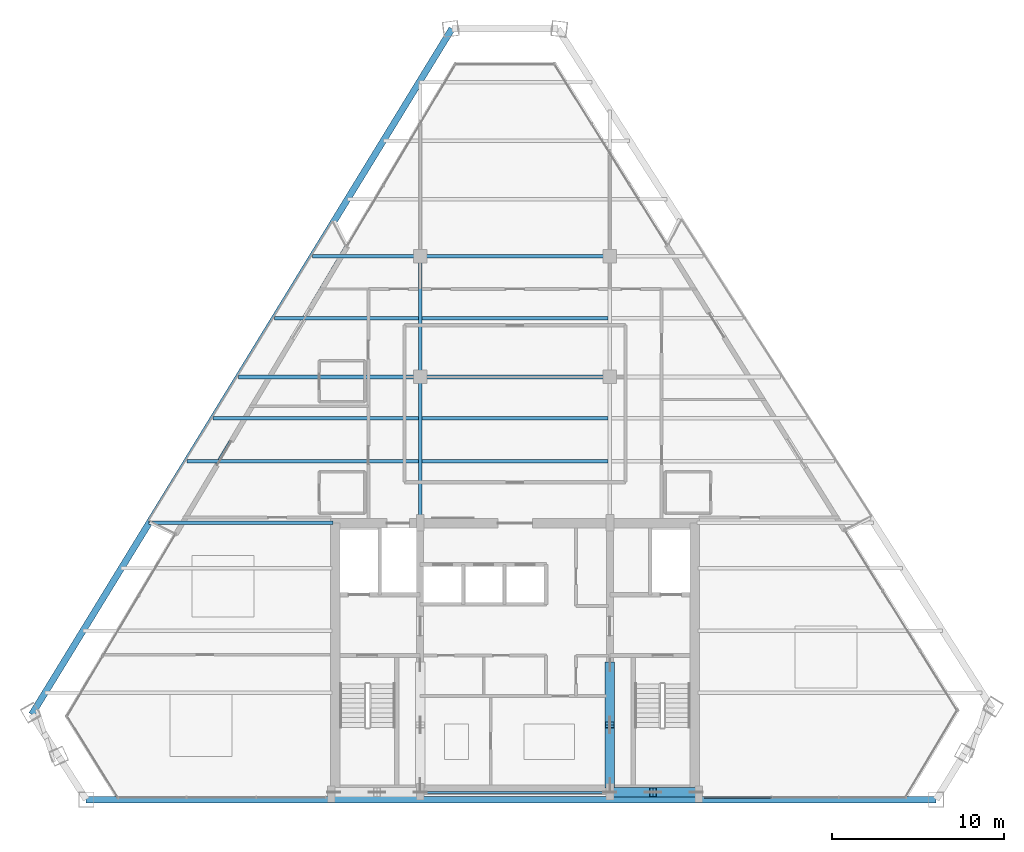
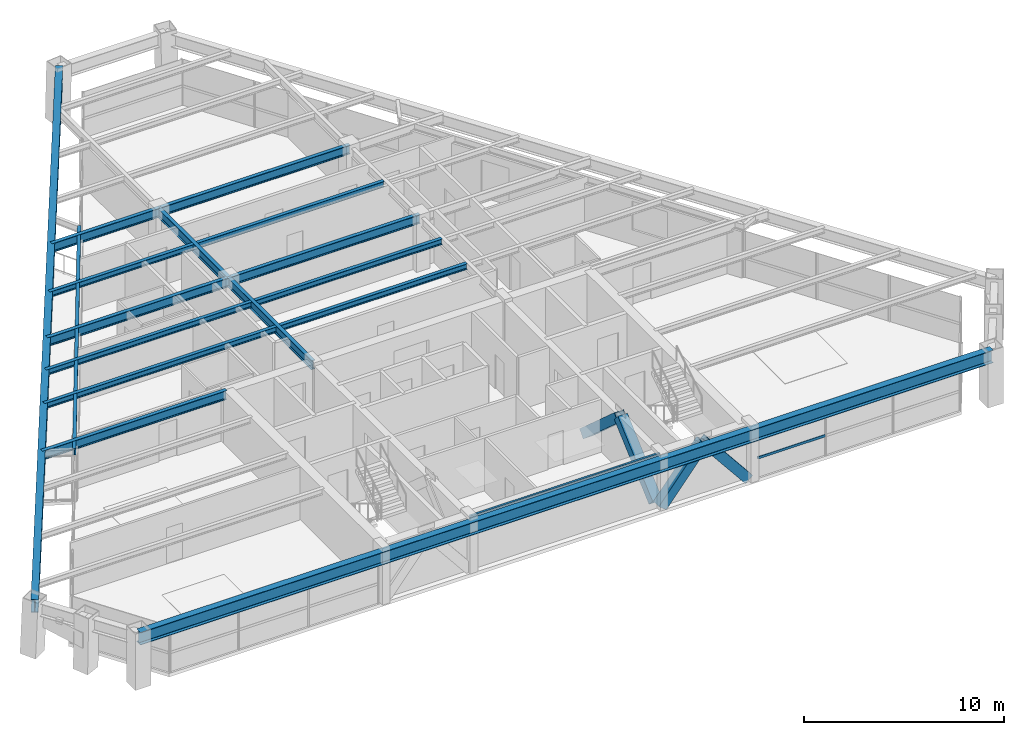
# One storey, part 3 of 12: 17 beams, 5 members, 1 element without a shape of its own.
"""IFC4 building model written with IfcOpenShell, lengths in metres."""

from ifc_helpers import new_model, si_unit, direction, frame, origin, origin_2d, place, context, subcontext, project, spatial, rectangle, hollow_rectangle, i_section, extrude, source, transform, mapped, material, material_profile, profile_set, type_object, type_shapes, element, aggregate, save


model = new_model("IFC4")

# Units and contexts
model_context = context("Model", 3, precision=1e-05, world=origin(), true_north=direction((0.0, 1.0)))
body_context = subcontext(model_context, "Body", "Model", "MODEL_VIEW")
ifc_project = project(units=[si_unit("LENGTHUNIT", "METRE"), si_unit("AREAUNIT", "SQUARE_METRE"), si_unit("VOLUMEUNIT", "CUBIC_METRE"), si_unit("PLANEANGLEUNIT", "RADIAN"), si_unit("MASSUNIT", "GRAM", prefix="KILO")], contexts=[model_context])

# Site, building, storey
site_placement = place(None, origin())
site = spatial("IfcSite", under=ifc_project, at=site_placement, CompositionType="ELEMENT")
building_placement = place(site_placement, origin())
building = spatial("IfcBuilding", under=site, at=building_placement, Name="Varnakhor Terracotta Tower", CompositionType="ELEMENT")
storey_placement = place(building_placement, frame((0.0, 0.0, 226.89990234375)))
storey = spatial("IfcBuildingStorey", under=building, at=storey_placement, Name="L58", CompositionType="ELEMENT", Elevation=226.89990234375)

# Beams
ifc_material_1 = material(Name="Steel S355", Category="steel")
ifc_material_profile_1 = material_profile(ifc_material_1, i_section(OverallWidth=0.1201171875, OverallDepth=0.239990234375, WebThickness=0.006103515625, FlangeThickness=0.009765625, FilletRadius=0.01806640625, at=origin_2d()), Name="IPE240")
ifc_profile_set_1 = profile_set([ifc_material_profile_1], Name="Steel S355")
beam_type_1 = type_object("IfcBeamType", Name="LNT-IPE240", PredefinedType="LINTEL", material=ifc_profile_set_1)
shared_shape_1 = source(origin(), body_context, "Body", "SweptSolid", [
    extrude(i_section(OverallWidth=0.1201171875, OverallDepth=0.239990234375, WebThickness=0.006103515625, FlangeThickness=0.009765625, FilletRadius=0.01806640625, at=origin_2d()), origin(), (0.0, 0.0, 1.0), 11.0),
])
type_shapes(beam_type_1, [shared_shape_1])
beam_1_placement = place(storey_placement, frame((-5.5, 0.419921875, 3.1201171875), z_axis=(1.0, 0.0, 0.0), x_axis=(0.0, 1.0, 0.0)))
element("IfcBeam", 1, at=beam_1_placement, inside=storey, type_object=beam_type_1, Name="L58 Core South Coupling Lintel", PredefinedType="LINTEL", context=body_context, shape_type="MappedRepresentation", body=[
    mapped(shared_shape_1, transform((0.0, 0.0, 0.0), scale=1.0)),
])
ifc_material_profile_2 = material_profile(ifc_material_1, i_section(OverallWidth=0.214111328125, OverallDepth=0.549072265625, WebThickness=0.014892578125, FlangeThickness=0.02392578125, FilletRadius=0.01806640625, at=origin_2d()), Name="W21X93")
ifc_profile_set_2 = profile_set([ifc_material_profile_2], Name="Steel S355")
beam_type_2 = type_object("IfcBeamType", Name="BM-W21X93", PredefinedType="BEAM", material=ifc_profile_set_2)
shared_shape_2 = source(origin(), body_context, "Body", "SweptSolid", [
    extrude(i_section(OverallWidth=0.214111328125, OverallDepth=0.549072265625, WebThickness=0.014892578125, FlangeThickness=0.02392578125, FilletRadius=0.01806640625, at=origin_2d()), origin(), (0.0, 0.0, 1.0), 8.449951171875),
])
type_shapes(beam_type_2, [shared_shape_2])
beam_2_placement = place(storey_placement, frame((-5.5, 16.050048828125, 2.965576171875), z_axis=(0.0, 1.0, 0.0), x_axis=(-1.0, 0.0, 0.0)))
element("IfcBeam", 2, at=beam_2_placement, inside=storey, type_object=beam_type_2, Name="L58 Primary Girder NS1-W", PredefinedType="BEAM", context=body_context, shape_type="MappedRepresentation", body=[
    mapped(shared_shape_2, transform((0.0, 0.0, 0.0), scale=1.0)),
])
shared_shape_3 = source(origin(), body_context, "Body", "SweptSolid", [
    extrude(i_section(OverallWidth=0.214111328125, OverallDepth=0.549072265625, WebThickness=0.014892578125, FlangeThickness=0.02392578125, FilletRadius=0.01806640625, at=origin_2d()), origin(), (0.0, 0.0, 1.0), 7.0),
])
beam_3_placement = place(storey_placement, frame((-5.5, 24.5, 2.965576171875), z_axis=(0.0, 1.0, 0.0), x_axis=(-1.0, 0.0, 0.0)))
element("IfcBeam", 3, at=beam_3_placement, inside=storey, type_object=beam_type_2, Name="L58 Primary Girder NS2-W", PredefinedType="BEAM", context=body_context, shape_type="MappedRepresentation", body=[
    mapped(shared_shape_3, transform((0.0, 0.0, 0.0), scale=1.0)),
])
shared_shape_4 = source(origin(), body_context, "Body", "SweptSolid", [
    extrude(i_section(OverallWidth=0.214111328125, OverallDepth=0.549072265625, WebThickness=0.014892578125, FlangeThickness=0.02392578125, FilletRadius=0.01806640625, at=origin_2d()), origin(), (0.0, 0.0, 1.0), 11.0),
])
for number, where, z_axis, x_axis, name in (
    (4, (-5.5, 24.5, 2.965576171875), (1.0, 0.0, 0.0), (0.0, 1.0, 0.0), "L58 Primary Girder EW2-2"),
    (5, (-5.5, 31.5, 2.965576171875), (1.0, 0.0, 0.0), (0.0, 1.0, 0.0), "L58 Primary Girder EW3-2"),
):
    element("IfcBeam", number, at=place(storey_placement, frame(where, z_axis=z_axis, x_axis=x_axis)), inside=storey, type_object=beam_type_2, Name=name, PredefinedType="BEAM", context=body_context, shape_type="MappedRepresentation", body=[
        mapped(shared_shape_4, transform((0.0, 0.0, 0.0), scale=1.0)),
    ])
ifc_material_profile_3 = material_profile(ifc_material_1, i_section(OverallWidth=0.202880859375, OverallDepth=0.346923828125, WebThickness=0.0078125, FlangeThickness=0.013427734375, FilletRadius=0.01806640625, at=origin_2d()), Name="W14X43")
ifc_profile_set_3 = profile_set([ifc_material_profile_3], Name="Steel S355")
beam_type_3 = type_object("IfcBeamType", Name="JST-W14X43", PredefinedType="JOIST", material=ifc_profile_set_3)
shared_shape_5 = source(origin(), body_context, "Body", "SweptSolid", [
    extrude(i_section(OverallWidth=0.202880859375, OverallDepth=0.346923828125, WebThickness=0.0078125, FlangeThickness=0.013427734375, FilletRadius=0.01806640625, at=origin_2d()), origin(), (0.0, 0.0, 1.0), 10.7939453125),
])
for number, where, z_axis, x_axis, name in (
    (6, (-5.39697265625, 19.60009765625, 3.066650390625), (1.0, 0.0, 0.0), (0.0, 1.0, 0.0), "L58 Composite Floor Joist 4-2"),
    (7, (-5.39697265625, 22.10009765625, 3.066650390625), (1.0, 0.0, 0.0), (0.0, 1.0, 0.0), "L58 Composite Floor Joist 5-2"),
    (8, (-5.39697265625, 27.89990234375, 3.066650390625), (1.0, 0.0, 0.0), (0.0, 1.0, 0.0), "L58 Composite Floor Joist 6-2"),
):
    element("IfcBeam", number, at=place(storey_placement, frame(where, z_axis=z_axis, x_axis=x_axis)), inside=storey, type_object=beam_type_3, Name=name, PredefinedType="JOIST", context=body_context, shape_type="MappedRepresentation", body=[
        mapped(shared_shape_5, transform((0.0, 0.0, 0.0), scale=1.0)),
    ])

# Members
ifc_material_profile_4 = material_profile(ifc_material_1, hollow_rectangle(XDim=0.550048828125, YDim=0.550048828125, WallThickness=0.034912109375, at=origin_2d()), Name="HSS550X550X35")
ifc_profile_set_4 = profile_set([ifc_material_profile_4], Name="Steel S355")
member_type_1 = type_object("IfcMemberType", Name="MBR-MEGA-550", PredefinedType="BRACE", material=ifc_profile_set_4)
shared_shape_6 = source(origin(), body_context, "Body", "SweptSolid", [
    extrude(hollow_rectangle(XDim=0.550048828125, YDim=0.550048828125, WallThickness=0.034912109375, at=origin_2d()), origin(), (0.0, 0.0, 1.0), 3.974853515625),
])
for number, where, z_axis, x_axis, name in (
    (9, (5.5, 0.419921875, 0.0), (0.628970263838, 0.0, 0.777429358339), (0.0, 1.0, 0.0), "L58 Core Coupled Brace CSEA"),
    (10, (10.5, 0.419921875, 0.0), (-0.628970263838, 0.0, 0.777429358339), (0.0, -1.0, 0.0), "L58 Core Coupled Brace CSEB"),
):
    element("IfcMember", number, at=place(storey_placement, frame(where, z_axis=z_axis, x_axis=x_axis)), inside=storey, type_object=member_type_1, Name=name, PredefinedType="BRACE", context=body_context, shape_type="MappedRepresentation", body=[
        mapped(shared_shape_6, transform((0.0, 0.0, 0.0), scale=1.0)),
    ])
shared_shape_7 = source(origin(), body_context, "Body", "SweptSolid", [
    extrude(hollow_rectangle(XDim=0.550048828125, YDim=0.550048828125, WallThickness=0.034912109375, at=origin_2d()), origin(), (0.0, 0.0, 1.0), 4.650146484375),
])
for number, where, z_axis, x_axis, name in (
    (11, (5.5, 0.85009765625, 0.0), (0.0, 0.74726736397, 0.664523503532), (-1.0, 0.0, 0.0), "L58 Core Coupled Brace CWEA"),
    (12, (5.5, 7.800048828125, 0.0), (0.0, -0.74729054724, 0.664497432655), (1.0, 0.0, 0.0), "L58 Core Coupled Brace CWEB"),
):
    element("IfcMember", number, at=place(storey_placement, frame(where, z_axis=z_axis, x_axis=x_axis)), inside=storey, type_object=member_type_1, Name=name, PredefinedType="BRACE", context=body_context, shape_type="MappedRepresentation", body=[
        mapped(shared_shape_7, transform((0.0, 0.0, 0.0), scale=1.0)),
    ])

# Beams
ifc_material_profile_5 = material_profile(ifc_material_1, i_section(OverallWidth=0.381103515625, OverallDepth=0.77294921875, WebThickness=0.01708984375, FlangeThickness=0.027099609375, FilletRadius=0.01806640625, at=origin_2d()), Name="W30X173")
ifc_profile_set_5 = profile_set([ifc_material_profile_5], Name="Steel S355")
beam_type_4 = type_object("IfcBeamType", Name="BM-W30X173", PredefinedType="BEAM", material=ifc_profile_set_5)
shared_shape_8 = source(origin(), body_context, "Body", "SweptSolid", [
    extrude(i_section(OverallWidth=0.381103515625, OverallDepth=0.77294921875, WebThickness=0.01708984375, FlangeThickness=0.027099609375, FilletRadius=0.01806640625, at=origin_2d()), origin(), (0.0, 0.0, 1.0), 49.27685546875),
])
beam_4_placement = place(storey_placement, frame((-24.859619140625, 0.0, 2.853515625), z_axis=(1.0, 0.0, 0.0), x_axis=(0.0, 1.0, 0.0)))
element("IfcBeam", 13, at=beam_4_placement, inside=storey, type_object=beam_type_4, Name="L58 Perimeter Spandrel 1", PredefinedType="BEAM", context=body_context, shape_type="MappedRepresentation", body=[
    mapped(shared_shape_8, transform((0.0, 0.0, 0.0), scale=1.0)),
])
shared_shape_9 = source(origin(), body_context, "Body", "SweptSolid", [
    extrude(i_section(OverallWidth=0.381103515625, OverallDepth=0.77294921875, WebThickness=0.01708984375, FlangeThickness=0.027099609375, FilletRadius=0.01806640625, at=origin_2d()), origin(), (0.0, 0.0, 1.0), 46.623046875),
])
beam_5_placement = place(storey_placement, frame((-3.654296875, 44.690185546875, 2.853515625), z_axis=(-0.522500415128, -0.852639030417, 0.0), x_axis=(0.852639030417, -0.522500415128, 0.0)))
element("IfcBeam", 14, at=beam_5_placement, inside=storey, type_object=beam_type_4, Name="L58 Perimeter Spandrel 6", PredefinedType="BEAM", context=body_context, shape_type="MappedRepresentation", body=[
    mapped(shared_shape_9, transform((0.0, 0.0, 0.0), scale=1.0)),
])
ifc_material_profile_6 = material_profile(ifc_material_1, i_section(OverallWidth=0.179931640625, OverallDepth=0.39990234375, WebThickness=0.008544921875, FlangeThickness=0.013427734375, FilletRadius=0.01806640625, at=origin_2d()), Name="IPE400")
ifc_profile_set_6 = profile_set([ifc_material_profile_6], Name="Steel S355")
beam_type_5 = type_object("IfcBeamType", Name="JST-IPE400", PredefinedType="JOIST", material=ifc_profile_set_6)
shared_shape_10 = source(origin(), body_context, "Body", "SweptSolid", [
    extrude(i_section(OverallWidth=0.179931640625, OverallDepth=0.39990234375, WebThickness=0.008544921875, FlangeThickness=0.013427734375, FilletRadius=0.01806640625, at=origin_2d()), origin(), (0.0, 0.0, 1.0), 19.4638671875),
])
beam_6_placement = place(storey_placement, frame((-9.763916015625, 32.1044921875, 3.0400390625), z_axis=(-0.510827666004, -0.859683136769, 0.0), x_axis=(0.859683136769, -0.510827666004, 0.0)))
element("IfcBeam", 15, at=beam_6_placement, inside=storey, type_object=beam_type_5, Name="L58 Loggia Edge Beam 2", PredefinedType="JOIST", context=body_context, shape_type="MappedRepresentation", body=[
    mapped(shared_shape_10, transform((0.0, 0.0, 0.0), scale=1.0)),
])
shared_shape_11 = source(origin(), body_context, "Body", "SweptSolid", [
    extrude(i_section(OverallWidth=0.214111328125, OverallDepth=0.549072265625, WebThickness=0.014892578125, FlangeThickness=0.02392578125, FilletRadius=0.01806640625, at=origin_2d()), origin(), (0.0, 0.0, 1.0), 10.655029296875),
])
beam_7_placement = place(storey_placement, frame((-21.205078125, 16.050048828125, 2.965576171875), z_axis=(1.0, 0.0, 0.0), x_axis=(0.0, 1.0, 0.0)))
element("IfcBeam", 16, at=beam_7_placement, inside=storey, type_object=beam_type_2, Name="L58 Wing Girder W", PredefinedType="BEAM", context=body_context, shape_type="MappedRepresentation", body=[
    mapped(shared_shape_11, transform((0.0, 0.0, 0.0), scale=1.0)),
])
shared_shape_12 = source(origin(), body_context, "Body", "SweptSolid", [
    extrude(i_section(OverallWidth=0.214111328125, OverallDepth=0.549072265625, WebThickness=0.014892578125, FlangeThickness=0.02392578125, FilletRadius=0.01806640625, at=origin_2d()), origin(), (0.0, 0.0, 1.0), 10.52685546875),
])
beam_8_placement = place(storey_placement, frame((-16.02685546875, 24.5, 2.965576171875), z_axis=(1.0, 0.0, 0.0), x_axis=(0.0, 1.0, 0.0)))
element("IfcBeam", 17, at=beam_8_placement, inside=storey, type_object=beam_type_2, Name="L58 Primary Girder EW2-1", PredefinedType="BEAM", context=body_context, shape_type="MappedRepresentation", body=[
    mapped(shared_shape_12, transform((0.0, 0.0, 0.0), scale=1.0)),
])
shared_shape_13 = source(origin(), body_context, "Body", "SweptSolid", [
    extrude(i_section(OverallWidth=0.214111328125, OverallDepth=0.549072265625, WebThickness=0.014892578125, FlangeThickness=0.02392578125, FilletRadius=0.01806640625, at=origin_2d()), origin(), (0.0, 0.0, 1.0), 6.2373046875),
])
beam_9_placement = place(storey_placement, frame((-11.7373046875, 31.5, 2.965576171875), z_axis=(1.0, 0.0, 0.0), x_axis=(0.0, 1.0, 0.0)))
element("IfcBeam", 18, at=beam_9_placement, inside=storey, type_object=beam_type_2, Name="L58 Primary Girder EW3-1", PredefinedType="BEAM", context=body_context, shape_type="MappedRepresentation", body=[
    mapped(shared_shape_13, transform((0.0, 0.0, 0.0), scale=1.0)),
])
shared_shape_14 = source(origin(), body_context, "Body", "SweptSolid", [
    extrude(i_section(OverallWidth=0.202880859375, OverallDepth=0.346923828125, WebThickness=0.0078125, FlangeThickness=0.013427734375, FilletRadius=0.01806640625, at=origin_2d()), origin(), (0.0, 0.0, 1.0), 13.426513671875),
])
beam_10_placement = place(storey_placement, frame((-19.029541015625, 19.60009765625, 3.066650390625), z_axis=(1.0, 0.0, 0.0), x_axis=(0.0, 1.0, 0.0)))
element("IfcBeam", 19, at=beam_10_placement, inside=storey, type_object=beam_type_3, Name="L58 Composite Floor Joist 4-1", PredefinedType="JOIST", context=body_context, shape_type="MappedRepresentation", body=[
    mapped(shared_shape_14, transform((0.0, 0.0, 0.0), scale=1.0)),
])
shared_shape_15 = source(origin(), body_context, "Body", "SweptSolid", [
    extrude(i_section(OverallWidth=0.202880859375, OverallDepth=0.346923828125, WebThickness=0.0078125, FlangeThickness=0.013427734375, FilletRadius=0.01806640625, at=origin_2d()), origin(), (0.0, 0.0, 1.0), 11.89453125),
])
beam_11_placement = place(storey_placement, frame((-17.49755859375, 22.10009765625, 3.066650390625), z_axis=(1.0, 0.0, 0.0), x_axis=(0.0, 1.0, 0.0)))
element("IfcBeam", 20, at=beam_11_placement, inside=storey, type_object=beam_type_3, Name="L58 Composite Floor Joist 5-1", PredefinedType="JOIST", context=body_context, shape_type="MappedRepresentation", body=[
    mapped(shared_shape_15, transform((0.0, 0.0, 0.0), scale=1.0)),
])
shared_shape_16 = source(origin(), body_context, "Body", "SweptSolid", [
    extrude(i_section(OverallWidth=0.202880859375, OverallDepth=0.346923828125, WebThickness=0.0078125, FlangeThickness=0.013427734375, FilletRadius=0.01806640625, at=origin_2d()), origin(), (0.0, 0.0, 1.0), 8.34033203125),
])
beam_12_placement = place(storey_placement, frame((-13.943359375, 27.89990234375, 3.066650390625), z_axis=(1.0, 0.0, 0.0), x_axis=(0.0, 1.0, 0.0)))
element("IfcBeam", 21, at=beam_12_placement, inside=storey, type_object=beam_type_3, Name="L58 Composite Floor Joist 6-1", PredefinedType="JOIST", context=body_context, shape_type="MappedRepresentation", body=[
    mapped(shared_shape_16, transform((0.0, 0.0, 0.0), scale=1.0)),
])

# Curtain wall, member
ifc_material_2 = material(Name="Anodised Aluminium Curtain Wall System", Category="aluminium")
curtain_wall_type = type_object("IfcCurtainWallType", Name="CW-SYS-HOTEL-LOGGIA", PredefinedType="NOTDEFINED", material=ifc_material_2)
curtain_wall_placement = place(storey_placement, origin())
curtain_wall = element("IfcCurtainWall", 22, at=curtain_wall_placement, inside=storey, type_object=curtain_wall_type, Name="L58 South Wing Curtain Wall SSE", PredefinedType="NOTDEFINED")
ifc_material_3 = material(Name="Anodised Aluminium 6063-T6", Category="aluminium")
ifc_material_profile_7 = material_profile(ifc_material_3, rectangle(XDim=0.06494140625, YDim=0.14501953125, at=origin_2d()), Name="ALU TRANSOM 65x145")
ifc_profile_set_7 = profile_set([ifc_material_profile_7], Name="Anodised Aluminium 6063-T6")
member_type_2 = type_object("IfcMemberType", Name="CWT-04", PredefinedType="USERDEFINED", material=ifc_profile_set_7)
shared_shape_17 = source(origin(), body_context, "Body", "SweptSolid", [
    extrude(rectangle(XDim=0.06494140625, YDim=0.14501953125, at=origin_2d()), origin(), (0.0, 0.0, 1.0), 3.902587890625),
])
member_placement = place(storey_placement, frame((14.87255859375, 0.1201171875, 1.1845703125), z_axis=(-1.0, 0.0, 0.0), x_axis=(0.0, -1.0, 0.0)))
member = element("IfcMember", 23, at=member_placement, type_object=member_type_2, Name="L58 South Wing Curtain Wall SSE Transom 3", ObjectType="TRANSOM", PredefinedType="USERDEFINED", context=body_context, shape_type="MappedRepresentation", body=[
    mapped(shared_shape_17, transform((0.0, 0.0, 0.0), scale=1.0)),
])
aggregate(curtain_wall, [member])

save(model, "model.ifc")
